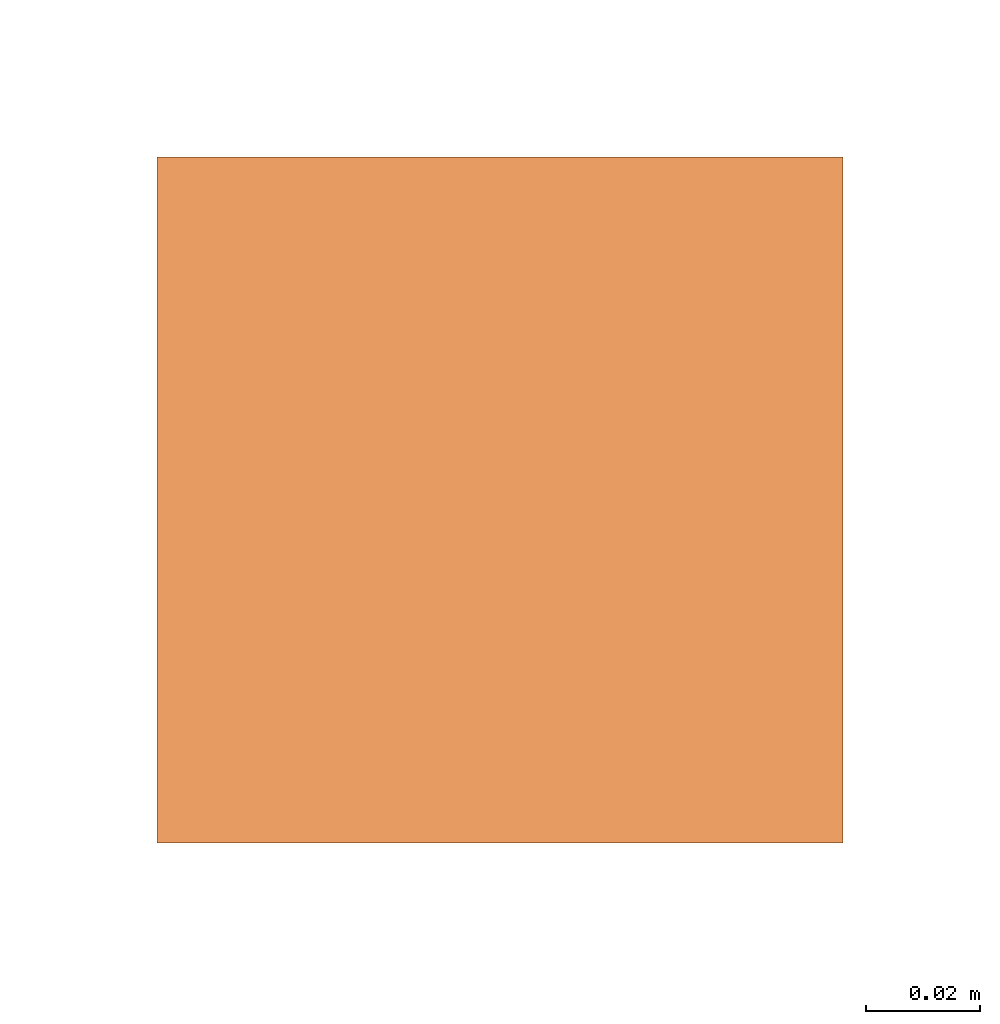
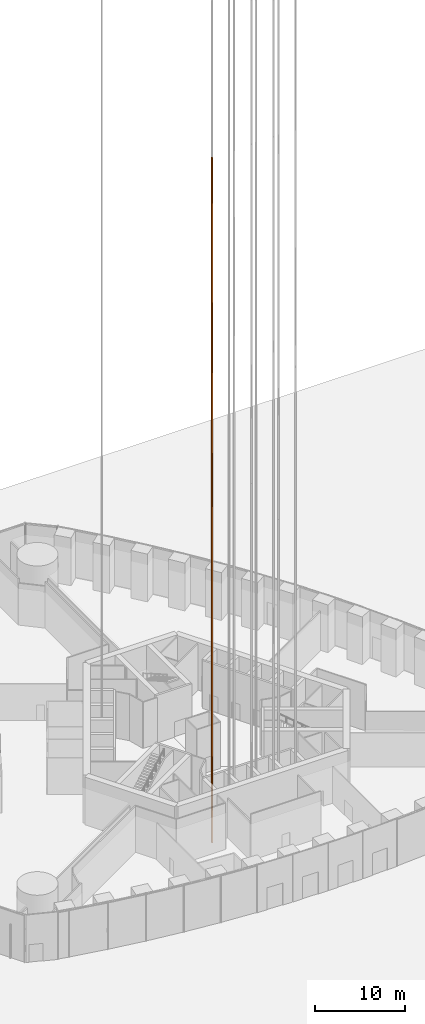
# One storey, part 24 of 43: 1 proxy.
"""IFC4 building model written with IfcOpenShell, lengths in metres."""

import ifcopenshell
import ifcopenshell.guid

model = None  # the IFC model being written
_history = None  # IfcOwnerHistory: only IFC2X3 demands one
_inside = {}  # id of a spatial element -> (the spatial element, [elements in it])
_under = {}  # id of a project, library or spatial element -> (it, [spatial elements below it])
_declared = {}  # id of a project -> (the project, [libraries it declares])
_typed = {}  # id of a type object -> (the type object, [elements of that type])
_made_of = {}  # id of a material, layer set ... -> (it, [elements and type objects made of it])


def new_model(schema):
    """Start an empty IFC model of exactly this schema.

    Asked for "IFC4X3", IfcOpenShell would pick the latest addendum, in which some entities
    have other attributes; the version numbers below select the first issue.
    IFC2X3 requires an IfcOwnerHistory on every rooted entity: one is made here for all.
    """
    global model, _history
    if schema == "IFC4X3":
        model = ifcopenshell.file(schema_version=(4, 3, 0, 0))
    else:
        model = ifcopenshell.file(schema=schema)
    _inside.clear()
    _under.clear()
    _declared.clear()
    _typed.clear()
    _made_of.clear()
    _history = None
    if model.schema == "IFC2X3":
        org = make("IfcOrganization", Name="unknown")
        user = make(
            "IfcPersonAndOrganization",
            ThePerson=make("IfcPerson", FamilyName="unknown"),
            TheOrganization=org,
        )
        app = make(
            "IfcApplication",
            ApplicationDeveloper=org,
            Version="unknown",
            ApplicationFullName="unknown",
            ApplicationIdentifier="unknown",
        )
        _history = make(
            "IfcOwnerHistory",
            OwningUser=user,
            OwningApplication=app,
            ChangeAction="ADDED",
            CreationDate=0,
        )
    return model


def make(cls, **values):
    """One entity of the class cls with the attributes given. An attribute that is None is left unset."""
    return model.create_entity(
        cls, **{name: value for name, value in values.items() if value is not None}
    )


def rooted(cls, **values):
    """An entity with a GlobalId (a new one), such as an element, a storey or a relation."""
    return make(cls, GlobalId=ifcopenshell.guid.new(), OwnerHistory=_history, **values)


def si_unit(unit_type, name, prefix=None):
    """IfcSIUnit, for example si_unit("LENGTHUNIT", "METRE", prefix="MILLI")."""
    return make("IfcSIUnit", UnitType=unit_type, Prefix=prefix, Name=name)


def assignment(units):
    """IfcUnitAssignment: the units of a project."""
    return None if units is None else make("IfcUnitAssignment", Units=units)


def point(xyz):
    """IfcCartesianPoint."""
    return None if xyz is None else make("IfcCartesianPoint", Coordinates=xyz)


def direction(xyz):
    """IfcDirection."""
    return None if xyz is None else make("IfcDirection", DirectionRatios=xyz)


def frame(location, z_axis=None, x_axis=None):
    """IfcAxis2Placement3D, a coordinate frame: its origin and axes. An axis left out is left unset."""
    return make(
        "IfcAxis2Placement3D",
        Location=point(location),
        Axis=direction(z_axis),
        RefDirection=direction(x_axis),
    )


def frame_2d(location, x_axis=None):
    """IfcAxis2Placement2D, a coordinate frame in the plane: its origin and x axis."""
    return make(
        "IfcAxis2Placement2D", Location=point(location), RefDirection=direction(x_axis)
    )


def origin():
    """The frame at (0, 0, 0) with its axes left unset."""
    return frame((0.0, 0.0, 0.0))


def origin_2d():
    """The frame at (0, 0) in the plane with its x axis left unset."""
    return frame_2d((0.0, 0.0))


def place(relative_to, where):
    """IfcLocalPlacement: puts the frame where relative to a parent placement (None: the world)."""
    return make(
        "IfcLocalPlacement", PlacementRelTo=relative_to, RelativePlacement=where
    )


def context(
    kind, dimensions, precision=None, world=None, true_north=None, identifier=None
):
    """IfcGeometricRepresentationContext, for example the 3D "Model" context."""
    return make(
        "IfcGeometricRepresentationContext",
        ContextIdentifier=identifier,
        ContextType=kind,
        CoordinateSpaceDimension=dimensions,
        Precision=precision,
        WorldCoordinateSystem=world,
        TrueNorth=true_north,
    )


def subcontext(parent, identifier, kind, view, scale=None):
    """IfcGeometricRepresentationSubContext, for example "Body" below "Model"."""
    return make(
        "IfcGeometricRepresentationSubContext",
        ContextIdentifier=identifier,
        ContextType=kind,
        ParentContext=parent,
        TargetScale=scale,
        TargetView=view,
    )


def project(units=None, contexts=None):
    """IfcProject with its units and contexts."""
    return rooted(
        "IfcProject",
        Name="project",
        RepresentationContexts=contexts,
        UnitsInContext=assignment(units),
    )


def spatial(cls, under=None, at=None, **own):
    """A site, building, storey or space (cls), placed at a placement, below another one or the project."""
    s = rooted(cls, ObjectPlacement=at, **own)
    if under is not None:
        _under.setdefault(under.id(), (under, []))[1].append(s)
    return s


def profile(cls, at=None, kind="AREA", **sizes):
    """A parametric profile (cls). Its sizes go by their IFC names, for example OverallWidth=200.0."""
    return make(cls, ProfileType=kind, Position=at, **sizes)


def rectangle(**sizes):
    """IfcRectangleProfileDef."""
    return profile("IfcRectangleProfileDef", **sizes)


def extrude(swept, where, along, depth):
    """IfcExtrudedAreaSolid: the profile swept, set in the frame where, extruded along a direction by depth."""
    return make(
        "IfcExtrudedAreaSolid",
        SweptArea=swept,
        Position=where,
        ExtrudedDirection=direction(along),
        Depth=depth,
    )


def shape(context_of_items, identifier, shape_type, items):
    """IfcShapeRepresentation: the items that make up one representation, for example the "Body"."""
    return make(
        "IfcShapeRepresentation",
        ContextOfItems=context_of_items,
        RepresentationIdentifier=identifier,
        RepresentationType=shape_type,
        Items=items,
    )


def made_of(thing, what):
    """Note that an element or type object is made of a material, layer set ...; save() writes the relation."""
    if what is not None:
        _made_of.setdefault(what.id(), (what, []))[1].append(thing)
    return thing


def element(
    cls,
    number,
    at=None,
    inside=None,
    cuts=None,
    type_object=None,
    material=None,
    context=None,
    identifier="Body",
    shape_type=None,
    held_by="IfcProductDefinitionShape",
    body=None,
    shapes=None,
    **own,
):
    """One element of the class cls, such as IfcWall. Its Tag is "e" and its number.

    at: its placement. inside: the storey or other place that contains it. cuts: it is an
    opening in that element (IfcRelVoidsElement). A single representation is given by context,
    identifier, shape_type and body (its items); several are given by shapes. held_by: the class
    of the entity that holds the representations. save() writes the other relations.
    """
    e = rooted(cls, Tag="e%d" % number, ObjectPlacement=at, **own)
    if body is not None:
        shapes = [shape(context, identifier, shape_type, body)]
    if shapes is not None:
        e.Representation = make(held_by, Representations=shapes)
    if inside is not None:
        _inside.setdefault(inside.id(), (inside, []))[1].append(e)
    if cuts is not None:
        rooted(
            "IfcRelVoidsElement", RelatingBuildingElement=cuts, RelatedOpeningElement=e
        )
    if type_object is not None:
        _typed.setdefault(type_object.id(), (type_object, []))[1].append(e)
    return made_of(e, material)


def aggregate(whole, parts):
    """IfcRelAggregates: a whole, such as a stair, and the parts it consists of."""
    return rooted("IfcRelAggregates", RelatingObject=whole, RelatedObjects=parts)


def save(model, path):
    """Write the relations noted so far, then the file.

    IfcRelAggregates (storeys below a building ...), IfcRelContainedInSpatialStructure (elements
    in a storey), IfcRelDefinesByType, IfcRelAssociatesMaterial and IfcRelDeclares: one each for
    every whole, place, type object, material and project.
    """
    for whole, parts in _under.values():
        aggregate(whole, parts)
    for where, things in _inside.values():
        rooted(
            "IfcRelContainedInSpatialStructure",
            RelatedElements=things,
            RelatingStructure=where,
        )
    for kind, things in _typed.values():
        rooted("IfcRelDefinesByType", RelatedObjects=things, RelatingType=kind)
    for what, things in _made_of.values():
        rooted("IfcRelAssociatesMaterial", RelatedObjects=things, RelatingMaterial=what)
    for by, libraries in _declared.values():
        rooted("IfcRelDeclares", RelatingContext=by, RelatedDefinitions=libraries)
    model.write(path)


model = new_model("IFC4")

# Units and contexts
model_context = context("Model", 3, precision=1e-05, world=origin(), true_north=direction((0.0, 1.0)))
body_context = subcontext(model_context, "Body", "Model", "MODEL_VIEW")
ifc_project = project(units=[si_unit("LENGTHUNIT", "METRE"), si_unit("AREAUNIT", "SQUARE_METRE"), si_unit("VOLUMEUNIT", "CUBIC_METRE"), si_unit("PLANEANGLEUNIT", "RADIAN"), si_unit("MASSUNIT", "GRAM", prefix="KILO")], contexts=[model_context])

# Site, building, storey
site_placement = place(None, origin())
site = spatial("IfcSite", under=ifc_project, at=site_placement, CompositionType="ELEMENT")
building_placement = place(site_placement, origin())
building = spatial("IfcBuilding", under=site, at=building_placement, Name="Trefoil Bronze Tower", CompositionType="ELEMENT")
storey_placement = place(building_placement, origin())
storey = spatial("IfcBuildingStorey", under=building, at=storey_placement, Name="L00", CompositionType="ELEMENT", Elevation=0.0)

# Proxy
proxy_placement = place(storey_placement, frame((-5.385009765625, -11.3125, -1.60009765625), z_axis=(0.0, 0.0, 1.0), x_axis=(1.0, 0.0, 0.0)))
element("IfcBuildingElementProxy", 1, at=proxy_placement, inside=storey, Name="Lift P11 guide rail 1", ObjectType="LIFT GUIDE RAIL", PredefinedType="USERDEFINED", context=body_context, shape_type="SweptSolid", body=[
    extrude(rectangle(XDim=0.1201171875, YDim=0.1201171875, at=origin_2d()), origin(), (0.0, 0.0, 1.0), 93.35009765625),
])

save(model, "model.ifc")
